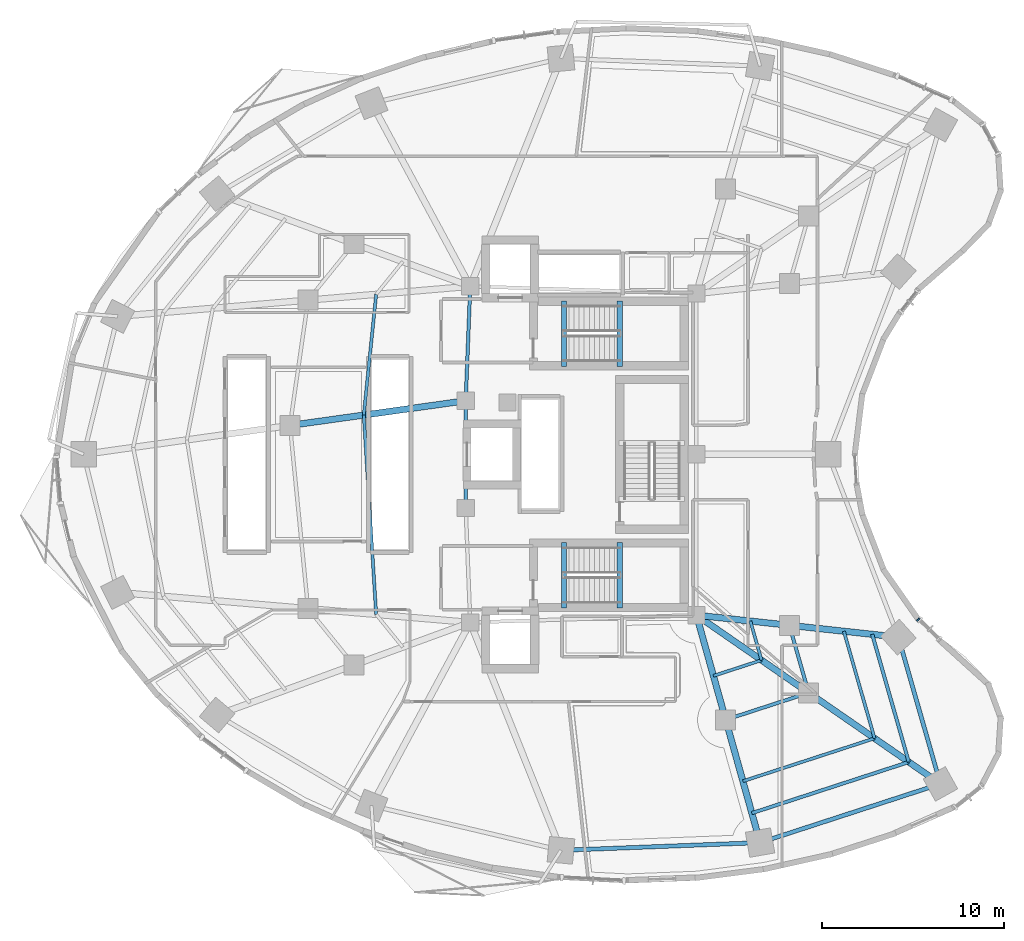
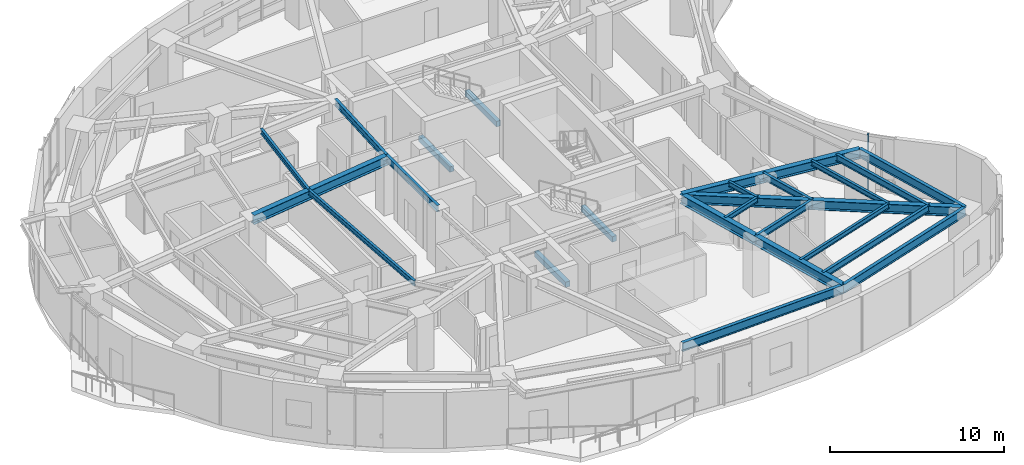
# One storey, part 3 of 15: 26 beams, 1 member, 1 element without a shape of its own.
"""IFC4 building model written with IfcOpenShell, lengths in metres."""

from ifc_helpers import new_model, si_unit, direction, frame, origin, origin_2d, place, context, subcontext, project, spatial, rectangle, i_section, extrude, material, layer, layer_set, material_profile, profile_set, type_object, element, aggregate, save


model = new_model("IFC4")

# Units and contexts
model_context = context("Model", 3, precision=1e-05, world=origin(), true_north=direction((0.0, 1.0)))
body_context = subcontext(model_context, "Body", "Model", "MODEL_VIEW")
ifc_project = project(units=[si_unit("LENGTHUNIT", "METRE"), si_unit("AREAUNIT", "SQUARE_METRE"), si_unit("VOLUMEUNIT", "CUBIC_METRE"), si_unit("PLANEANGLEUNIT", "RADIAN"), si_unit("MASSUNIT", "GRAM", prefix="KILO")], contexts=[model_context])

# Site, building, storey
site_placement = place(None, origin())
site = spatial("IfcSite", under=ifc_project, at=site_placement, CompositionType="ELEMENT")
building_placement = place(site_placement, origin())
building = spatial("IfcBuilding", under=site, at=building_placement, Name="Korentha Bioscience Tower", CompositionType="ELEMENT")
storey_placement = place(building_placement, frame((0.0, 0.0, 72.0)))
storey = spatial("IfcBuildingStorey", under=building, at=storey_placement, Name="L16", CompositionType="ELEMENT", Elevation=72.0)

# Beams
ifc_material_1 = material(Name="Concrete C50", Category="concrete")
ifc_material_profile_1 = material_profile(ifc_material_1, rectangle(XDim=0.280029296875, YDim=0.3798828125, at=origin_2d()), Name="Concrete C50")
ifc_profile_set_1 = profile_set([ifc_material_profile_1], Name="Concrete C50 (ST-HB380)")
beam_type_1 = type_object("IfcBeamType", Name="Concrete Stair Header Beam RC 280x380", PredefinedType="BEAM", material=ifc_profile_set_1)
for number, where, z_axis, x_axis, name in (
    (1, (30.25, 31.85009765625, -0.18994140625), (0.0, 1.0, 0.0), (-1.0, 0.0, 0.0), "L16 ST-1 Concrete Stair Header Beam"),
    (2, (33.330078125, 31.85009765625, 1.909912109375), (0.0, 1.0, 0.0), (-1.0, 0.0, 0.0), "L16 ST-1 Half-Landing Header Beam 1"),
    (3, (30.25, 18.550048828125, -0.18994140625), (0.0, 1.0, 0.0), (-1.0, 0.0, 0.0), "L16 ST-2 Concrete Stair Header Beam"),
    (4, (33.330078125, 18.550048828125, 1.909912109375), (0.0, 1.0, 0.0), (-1.0, 0.0, 0.0), "L16 ST-2 Half-Landing Header Beam 1"),
):
    element("IfcBeam", number, at=place(storey_placement, frame(where, z_axis=z_axis, x_axis=x_axis)), inside=storey, type_object=beam_type_1, Name=name, PredefinedType="BEAM", context=body_context, shape_type="SweptSolid", body=[
        extrude(rectangle(XDim=0.280029296875, YDim=0.3798828125, at=origin_2d()), origin(), (0.0, 0.0, 1.0), 3.599853515625),
    ])
ifc_material_2 = material(Name="Steel S355", Category="steel")
ifc_material_profile_2 = material_profile(ifc_material_2, i_section(OverallWidth=0.18994140625, OverallDepth=0.45703125, WebThickness=0.009033203125, FlangeThickness=0.014404296875, at=origin_2d()), Name="Steel S355")
ifc_profile_set_2 = profile_set([ifc_material_profile_2], Name="Steel S355 (MB-460)")
beam_type_2 = type_object("IfcBeamType", Name="Mid-Ring Tie Girder W460x74", PredefinedType="BEAM", material=ifc_profile_set_2)
beam_1_placement = place(storey_placement, frame((39.1611328125, 12.392333984375, 3.67138671875), z_axis=(0.950877001105, 0.309568940253, 0.0), x_axis=(-0.309568940253, 0.950877001105, 0.0)))
element("IfcBeam", 5, at=beam_1_placement, inside=storey, type_object=beam_type_2, Name="L16 Mid-Ring Tie Girder 12", PredefinedType="BEAM", context=body_context, shape_type="SweptSolid", body=[
    extrude(i_section(OverallWidth=0.18994140625, OverallDepth=0.45703125, WebThickness=0.009033203125, FlangeThickness=0.014404296875, at=origin_2d()), origin(), (0.0, 0.0, 1.0), 4.80126953125),
])
beam_2_placement = place(storey_placement, frame((43.7265625, 13.878662109375, 3.67138671875), z_axis=(-0.27560557792, 0.961270807535, 0.0), x_axis=(-0.961270807535, -0.27560557792, 0.0)))
element("IfcBeam", 6, at=beam_2_placement, inside=storey, type_object=beam_type_2, Name="L16 Mid-Ring Tie Girder 13", PredefinedType="BEAM", context=body_context, shape_type="SweptSolid", body=[
    extrude(i_section(OverallWidth=0.18994140625, OverallDepth=0.45703125, WebThickness=0.009033203125, FlangeThickness=0.014404296875, at=origin_2d()), origin(), (0.0, 0.0, 1.0), 3.864013671875),
])
beam_3_placement = place(storey_placement, frame((25.10009765625, 36.25, 3.67138671875), z_axis=(-0.039651025576, -0.999213588864, 0.0), x_axis=(0.999213588864, -0.039651025576, 0.0)))
element("IfcBeam", 7, at=beam_3_placement, inside=storey, type_object=beam_type_2, Name="L16 Core Ring Tie Girder 02", PredefinedType="BEAM", context=body_context, shape_type="SweptSolid", body=[
    extrude(i_section(OverallWidth=0.18994140625, OverallDepth=0.45703125, WebThickness=0.009033203125, FlangeThickness=0.014404296875, at=origin_2d()), origin(), (0.0, 0.0, 1.0), 6.304931640625),
])
beam_4_placement = place(storey_placement, frame((24.85009765625, 29.949951171875, 3.67138671875), z_axis=(0.0, -1.0, 0.0), x_axis=(1.0, 0.0, 0.0)))
element("IfcBeam", 8, at=beam_4_placement, inside=storey, type_object=beam_type_2, Name="L16 Core Ring Tie Girder 03", PredefinedType="BEAM", context=body_context, shape_type="SweptSolid", body=[
    extrude(i_section(OverallWidth=0.18994140625, OverallDepth=0.45703125, WebThickness=0.009033203125, FlangeThickness=0.014404296875, at=origin_2d()), origin(), (0.0, 0.0, 1.0), 5.89990234375),
])

# Curtain wall, member
ifc_material_3 = material(Name="Thermally Broken Aluminium Frame", Category="aluminium")
ifc_layer = layer(ifc_material_3, 0.219970703125, Name="Thermally Broken Aluminium Frame")
ifc_layer_set = layer_set([ifc_layer], Name="Thermally Broken Aluminium Frame (CW-T2)")
curtain_wall_type = type_object("IfcCurtainWallType", Name="Solar-Screened Lab Unitised Curtain Wall CW-T2", PredefinedType="USERDEFINED", material=ifc_layer_set)
curtain_wall_placement = place(storey_placement, origin())
curtain_wall = element("IfcCurtainWall", 9, at=curtain_wall_placement, inside=storey, type_object=curtain_wall_type, Name="L16 Curtain Wall 43", ObjectType="UNITISED", PredefinedType="USERDEFINED")
ifc_material_4 = material(Name="Anodised Aluminium 6063-T6", Category="aluminium")
ifc_material_profile_3 = material_profile(ifc_material_4, rectangle(XDim=0.090087890625, YDim=0.199951171875, at=origin_2d()), Name="Anodised Aluminium 6063-T6")
ifc_profile_set_3 = profile_set([ifc_material_profile_3], Name="Anodised Aluminium 6063-T6 (CW-MUL)")
member_type = type_object("IfcMemberType", Name="Mullion RECT 90x200", PredefinedType="MULLION", material=ifc_profile_set_3)
member_placement = place(storey_placement, frame((49.752685546875, 17.90625, 0.0), z_axis=(0.0, 0.0, 1.0), x_axis=(-0.713279246754, 0.700879958445, 0.0)))
member = element("IfcMember", 10, at=member_placement, type_object=member_type, Name="CW-L16-43 Mullion 2", PredefinedType="MULLION", context=body_context, shape_type="SweptSolid", body=[
    extrude(rectangle(XDim=0.090087890625, YDim=0.199951171875, at=origin_2d()), origin(), (0.0, 0.0, 1.0), 3.89990234375),
])
aggregate(curtain_wall, [member])

# Beams
ifc_material_profile_4 = material_profile(ifc_material_2, i_section(OverallWidth=0.22802734375, OverallDepth=0.60791015625, WebThickness=0.01123046875, FlangeThickness=0.017333984375, at=origin_2d()), Name="Steel S355")
ifc_profile_set_4 = profile_set([ifc_material_profile_4], Name="Steel S355 (SB-610)")
beam_type_3 = type_object("IfcBeamType", Name="Perimeter Ring Spandrel Girder W610x113", PredefinedType="SPANDREL", material=ifc_profile_set_4)
beam_5_placement = place(storey_placement, frame((30.09423828125, 5.20751953125, 3.595947265625), z_axis=(0.999246003889, 0.03882555488, 0.0), x_axis=(-0.03882555488, 0.999246003889, 0.0)))
element("IfcBeam", 11, at=beam_5_placement, inside=storey, type_object=beam_type_3, Name="L16 Perimeter Spandrel Girder 11", PredefinedType="SPANDREL", context=body_context, shape_type="SweptSolid", body=[
    extrude(i_section(OverallWidth=0.22802734375, OverallDepth=0.60791015625, WebThickness=0.01123046875, FlangeThickness=0.017333984375, at=origin_2d()), origin(), (0.0, 0.0, 1.0), 10.966552734375),
])
beam_6_placement = place(storey_placement, frame((41.052490234375, 5.63330078125, 3.595947265625), z_axis=(0.95087511444, 0.309574735305, 0.0), x_axis=(-0.309574735305, 0.95087511444, 0.0)))
element("IfcBeam", 12, at=beam_6_placement, inside=storey, type_object=beam_type_3, Name="L16 Perimeter Spandrel Girder 12", PredefinedType="SPANDREL", context=body_context, shape_type="SweptSolid", body=[
    extrude(i_section(OverallWidth=0.22802734375, OverallDepth=0.60791015625, WebThickness=0.01123046875, FlangeThickness=0.017333984375, at=origin_2d()), origin(), (0.0, 0.0, 1.0), 10.4375),
])
beam_7_placement = place(storey_placement, frame((50.977294921875, 8.864501953125, 3.595947265625), z_axis=(-0.275642273411, 0.961260285827, 0.0), x_axis=(-0.961260285827, -0.275642273411, 0.0)))
element("IfcBeam", 13, at=beam_7_placement, inside=storey, type_object=beam_type_3, Name="L16 Perimeter Spandrel Girder 13", PredefinedType="SPANDREL", context=body_context, shape_type="SweptSolid", body=[
    extrude(i_section(OverallWidth=0.22802734375, OverallDepth=0.60791015625, WebThickness=0.01123046875, FlangeThickness=0.017333984375, at=origin_2d()), origin(), (0.0, 0.0, 1.0), 8.400146484375),
])
ifc_material_profile_5 = material_profile(ifc_material_2, i_section(OverallWidth=0.18994140625, OverallDepth=0.45703125, WebThickness=0.009033203125, FlangeThickness=0.014404296875, at=origin_2d()), Name="Steel S355")
ifc_profile_set_5 = profile_set([ifc_material_profile_5], Name="Steel S355 (RB-460)")
beam_type_4 = type_object("IfcBeamType", Name="Radial Laboratory Beam W460x74", PredefinedType="BEAM", material=ifc_profile_set_5)
beam_8_placement = place(storey_placement, frame((40.5986328125, 7.255615234375, 3.67138671875), z_axis=(0.95087437499, 0.309577006554, 0.0), x_axis=(-0.309577006554, 0.95087437499, 0.0)))
element("IfcBeam", 14, at=beam_8_placement, inside=storey, type_object=beam_type_4, Name="L16 Secondary Floor Beam JSTO-12", PredefinedType="BEAM", context=body_context, shape_type="SweptSolid", body=[
    extrude(i_section(OverallWidth=0.18994140625, OverallDepth=0.45703125, WebThickness=0.009033203125, FlangeThickness=0.014404296875, at=origin_2d()), origin(), (0.0, 0.0, 1.0), 9.0849609375),
])
beam_9_placement = place(storey_placement, frame((49.2373046875, 10.068115234375, 3.67138671875), z_axis=(-0.275682421415, 0.961248772443, 0.0), x_axis=(-0.961248772443, -0.275682421415, 0.0)))
element("IfcBeam", 15, at=beam_9_placement, inside=storey, type_object=beam_type_4, Name="L16 Secondary Floor Beam JSTO-13", PredefinedType="BEAM", context=body_context, shape_type="SweptSolid", body=[
    extrude(i_section(OverallWidth=0.18994140625, OverallDepth=0.45703125, WebThickness=0.009033203125, FlangeThickness=0.014404296875, at=origin_2d()), origin(), (0.0, 0.0, 1.0), 7.3115234375),
])
ifc_material_profile_6 = material_profile(ifc_material_2, i_section(OverallWidth=0.35009765625, OverallDepth=0.64990234375, WebThickness=0.01611328125, FlangeThickness=0.02490234375, at=origin_2d()), Name="Steel S355")
ifc_profile_set_6 = profile_set([ifc_material_profile_6], Name="Steel S355 (RB-650)")
beam_type_5 = type_object("IfcBeamType", Name="Radial Laboratory Girder CVS 650x208", PredefinedType="BEAM", material=ifc_profile_set_6)
beam_10_placement = place(storey_placement, frame((24.85009765625, 29.949951171875, 3.574951171875), z_axis=(-0.990307253072, -0.138894004596, 0.0), x_axis=(0.138894004596, -0.990307253072, 0.0)))
element("IfcBeam", 16, at=beam_10_placement, inside=storey, type_object=beam_type_5, Name="L16 Inner Radial Girder 07", PredefinedType="BEAM", context=body_context, shape_type="SweptSolid", body=[
    extrude(i_section(OverallWidth=0.35009765625, OverallDepth=0.64990234375, WebThickness=0.01611328125, FlangeThickness=0.02490234375, at=origin_2d()), origin(), (0.0, 0.0, 1.0), 9.76611328125),
])
beam_11_placement = place(storey_placement, frame((37.550048828125, 18.14990234375, 3.574951171875), z_axis=(0.269469369205, -0.963008961049, 0.0), x_axis=(0.963008961049, 0.269469369205, 0.0)))
element("IfcBeam", 17, at=beam_11_placement, inside=storey, type_object=beam_type_5, Name="L16 Inner Radial Girder 12", PredefinedType="BEAM", context=body_context, shape_type="SweptSolid", body=[
    extrude(i_section(OverallWidth=0.35009765625, OverallDepth=0.64990234375, WebThickness=0.01611328125, FlangeThickness=0.02490234375, at=origin_2d()), origin(), (0.0, 0.0, 1.0), 5.978759765625),
])
beam_12_placement = place(storey_placement, frame((39.1611328125, 12.392333984375, 3.574951171875), z_axis=(0.269475095129, -0.963007358801, 0.0), x_axis=(0.963007358801, 0.269475095129, 0.0)))
element("IfcBeam", 18, at=beam_12_placement, inside=storey, type_object=beam_type_5, Name="L16 Outer Radial Girder 12", PredefinedType="BEAM", context=body_context, shape_type="SweptSolid", body=[
    extrude(i_section(OverallWidth=0.35009765625, OverallDepth=0.64990234375, WebThickness=0.01611328125, FlangeThickness=0.02490234375, at=origin_2d()), origin(), (0.0, 0.0, 1.0), 7.0185546875),
])
beam_13_placement = place(storey_placement, frame((37.550048828125, 18.14990234375, 3.574951171875), z_axis=(0.822491697625, -0.568777115694, 0.0), x_axis=(0.568777115694, 0.822491697625, 0.0)))
element("IfcBeam", 19, at=beam_13_placement, inside=storey, type_object=beam_type_5, Name="L16 Inner Radial Girder 13", PredefinedType="BEAM", context=body_context, shape_type="SweptSolid", body=[
    extrude(i_section(OverallWidth=0.35009765625, OverallDepth=0.64990234375, WebThickness=0.01611328125, FlangeThickness=0.02490234375, at=origin_2d()), origin(), (0.0, 0.0, 1.0), 7.509521484375),
])
beam_14_placement = place(storey_placement, frame((43.7265625, 13.878662109375, 3.574951171875), z_axis=(0.822488186113, -0.568782193555, 0.0), x_axis=(0.568782193555, 0.822488186113, 0.0)))
element("IfcBeam", 20, at=beam_14_placement, inside=storey, type_object=beam_type_5, Name="L16 Outer Radial Girder 13", PredefinedType="BEAM", context=body_context, shape_type="SweptSolid", body=[
    extrude(i_section(OverallWidth=0.35009765625, OverallDepth=0.64990234375, WebThickness=0.01611328125, FlangeThickness=0.02490234375, at=origin_2d()), origin(), (0.0, 0.0, 1.0), 8.815673828125),
])
beam_15_placement = place(storey_placement, frame((37.550048828125, 18.14990234375, 3.574951171875), z_axis=(0.994117709144, -0.10830503389, 0.0), x_axis=(0.10830503389, 0.994117709144, 0.0)))
element("IfcBeam", 21, at=beam_15_placement, inside=storey, type_object=beam_type_5, Name="L16 Inner Radial Girder 14", PredefinedType="BEAM", context=body_context, shape_type="SweptSolid", body=[
    extrude(i_section(OverallWidth=0.35009765625, OverallDepth=0.64990234375, WebThickness=0.01611328125, FlangeThickness=0.02490234375, at=origin_2d()), origin(), (0.0, 0.0, 1.0), 5.141845703125),
])
beam_16_placement = place(storey_placement, frame((42.66162109375, 17.593017578125, 3.574951171875), z_axis=(0.994115805925, -0.108322501862, 0.0), x_axis=(0.108322501862, 0.994115805925, 0.0)))
element("IfcBeam", 22, at=beam_16_placement, inside=storey, type_object=beam_type_5, Name="L16 Outer Radial Girder 14", PredefinedType="BEAM", context=body_context, shape_type="SweptSolid", body=[
    extrude(i_section(OverallWidth=0.35009765625, OverallDepth=0.64990234375, WebThickness=0.01611328125, FlangeThickness=0.02490234375, at=origin_2d()), origin(), (0.0, 0.0, 1.0), 6.03564453125),
])
ifc_material_profile_7 = material_profile(ifc_material_2, i_section(OverallWidth=0.1708984375, OverallDepth=0.35498046875, WebThickness=0.007080078125, FlangeThickness=0.01171875, at=origin_2d()), Name="Steel S355")
ifc_profile_set_7 = profile_set([ifc_material_profile_7], Name="Steel S355 (JB-360)")
beam_type_6 = type_object("IfcBeamType", Name="Secondary Laboratory Joist W360x51", PredefinedType="JOIST", material=ifc_profile_set_7)
beam_17_placement = place(storey_placement, frame((19.9228515625, 35.80859375, 3.722412109375), z_axis=(-0.102144778597, -0.994769543264, 0.0), x_axis=(0.994769543264, -0.102144778597, 0.0)))
element("IfcBeam", 23, at=beam_17_placement, inside=storey, type_object=beam_type_6, Name="L16 Inner Bay Joist 06", PredefinedType="JOIST", context=body_context, shape_type="SweptSolid", body=[
    extrude(i_section(OverallWidth=0.1708984375, OverallDepth=0.35498046875, WebThickness=0.007080078125, FlangeThickness=0.01171875, at=origin_2d()), origin(), (0.0, 0.0, 1.0), 6.680419921875),
])
beam_18_placement = place(storey_placement, frame((19.240478515625, 29.1630859375, 3.722412109375), z_axis=(0.062074098012, -0.998071543706, 0.0), x_axis=(0.998071543706, 0.062074098012, 0.0)))
element("IfcBeam", 24, at=beam_18_placement, inside=storey, type_object=beam_type_6, Name="L16 Inner Bay Joist 07", PredefinedType="JOIST", context=body_context, shape_type="SweptSolid", body=[
    extrude(i_section(OverallWidth=0.1708984375, OverallDepth=0.35498046875, WebThickness=0.007080078125, FlangeThickness=0.01171875, at=origin_2d()), origin(), (0.0, 0.0, 1.0), 10.992919921875),
])
beam_19_placement = place(storey_placement, frame((40.10693359375, 9.0126953125, 3.722412109375), z_axis=(0.950870992772, 0.309587394938, 0.0), x_axis=(-0.309587394938, 0.950870992772, 0.0)))
element("IfcBeam", 25, at=beam_19_placement, inside=storey, type_object=beam_type_6, Name="L16 Secondary Floor Beam JST-12", PredefinedType="JOIST", context=body_context, shape_type="SweptSolid", body=[
    extrude(i_section(OverallWidth=0.1708984375, OverallDepth=0.35498046875, WebThickness=0.007080078125, FlangeThickness=0.01171875, at=origin_2d()), origin(), (0.0, 0.0, 1.0), 7.619384765625),
])
beam_20_placement = place(storey_placement, frame((38.484619140625, 14.810546875, 3.722412109375), z_axis=(0.950869630746, 0.309591578254, 0.0), x_axis=(-0.309591578254, 0.950869630746, 0.0)))
element("IfcBeam", 26, at=beam_20_placement, inside=storey, type_object=beam_type_6, Name="L16 Inner Bay Joist 12", PredefinedType="JOIST", context=body_context, shape_type="SweptSolid", body=[
    extrude(i_section(OverallWidth=0.1708984375, OverallDepth=0.35498046875, WebThickness=0.007080078125, FlangeThickness=0.01171875, at=origin_2d()), origin(), (0.0, 0.0, 1.0), 2.784423828125),
])
beam_21_placement = place(storey_placement, frame((47.35205078125, 11.37158203125, 3.722412109375), z_axis=(-0.275667500387, 0.96125305161, 0.0), x_axis=(-0.96125305161, -0.275667500387, 0.0)))
element("IfcBeam", 27, at=beam_21_placement, inside=storey, type_object=beam_type_6, Name="L16 Secondary Floor Beam JST-13", PredefinedType="JOIST", context=body_context, shape_type="SweptSolid", body=[
    extrude(i_section(OverallWidth=0.1708984375, OverallDepth=0.35498046875, WebThickness=0.007080078125, FlangeThickness=0.01171875, at=origin_2d()), origin(), (0.0, 0.0, 1.0), 6.132080078125),
])
beam_22_placement = place(storey_placement, frame((41.13232421875, 15.672607421875, 3.722412109375), z_axis=(-0.275613067773, 0.961268660091, 0.0), x_axis=(-0.961268660091, -0.275613067773, 0.0)))
element("IfcBeam", 28, at=beam_22_placement, inside=storey, type_object=beam_type_6, Name="L16 Inner Bay Joist 13", PredefinedType="JOIST", context=body_context, shape_type="SweptSolid", body=[
    extrude(i_section(OverallWidth=0.1708984375, OverallDepth=0.35498046875, WebThickness=0.007080078125, FlangeThickness=0.01171875, at=origin_2d()), origin(), (0.0, 0.0, 1.0), 2.2412109375),
])

save(model, "model.ifc")
